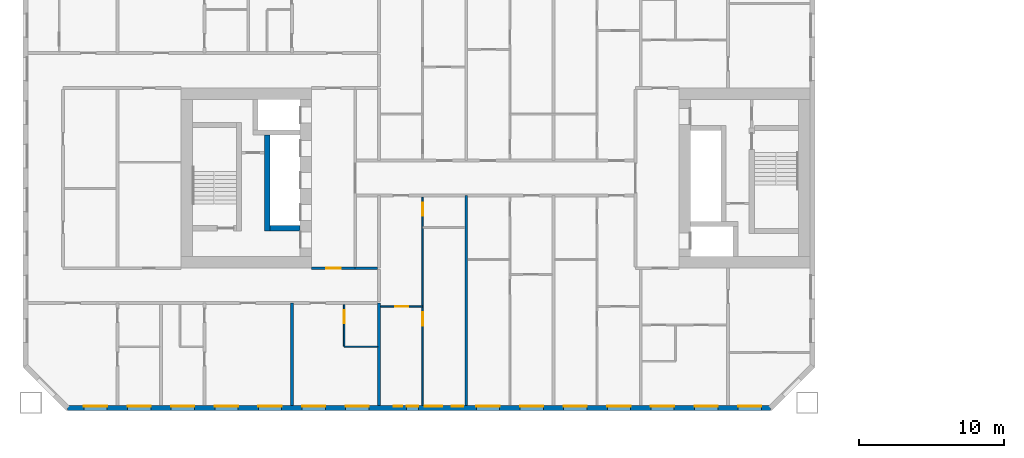
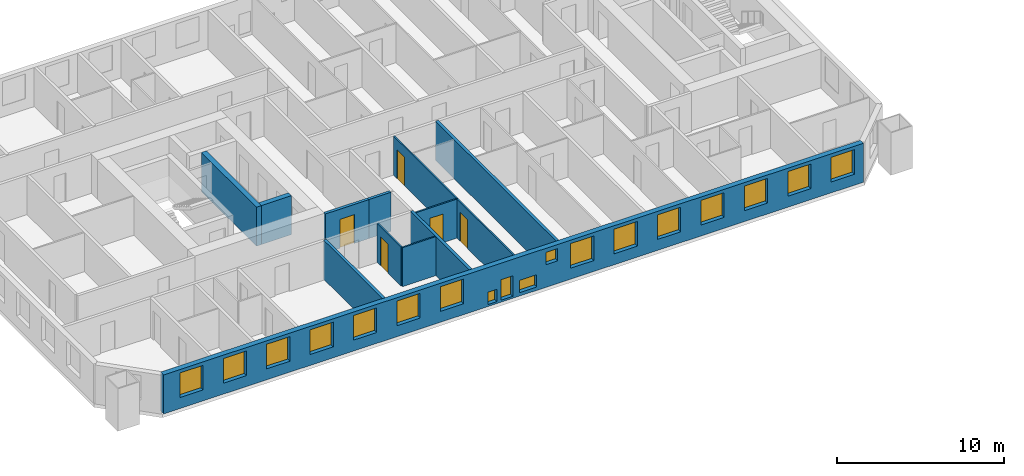
# One storey, part 3 of 16: 18 windows, 12 walls, 5 doors, 23 openings.
"""IFC4 building model written with IfcOpenShell, lengths in metres."""

import ifcopenshell
import ifcopenshell.guid

model = None  # the IFC model being written
_history = None  # IfcOwnerHistory: only IFC2X3 demands one
_inside = {}  # id of a spatial element -> (the spatial element, [elements in it])
_under = {}  # id of a project, library or spatial element -> (it, [spatial elements below it])
_declared = {}  # id of a project -> (the project, [libraries it declares])
_typed = {}  # id of a type object -> (the type object, [elements of that type])
_made_of = {}  # id of a material, layer set ... -> (it, [elements and type objects made of it])


def new_model(schema):
    """Start an empty IFC model of exactly this schema.

    Asked for "IFC4X3", IfcOpenShell would pick the latest addendum, in which some entities
    have other attributes; the version numbers below select the first issue.
    IFC2X3 requires an IfcOwnerHistory on every rooted entity: one is made here for all.
    """
    global model, _history
    if schema == "IFC4X3":
        model = ifcopenshell.file(schema_version=(4, 3, 0, 0))
    else:
        model = ifcopenshell.file(schema=schema)
    _inside.clear()
    _under.clear()
    _declared.clear()
    _typed.clear()
    _made_of.clear()
    _history = None
    if model.schema == "IFC2X3":
        org = make("IfcOrganization", Name="unknown")
        user = make(
            "IfcPersonAndOrganization",
            ThePerson=make("IfcPerson", FamilyName="unknown"),
            TheOrganization=org,
        )
        app = make(
            "IfcApplication",
            ApplicationDeveloper=org,
            Version="unknown",
            ApplicationFullName="unknown",
            ApplicationIdentifier="unknown",
        )
        _history = make(
            "IfcOwnerHistory",
            OwningUser=user,
            OwningApplication=app,
            ChangeAction="ADDED",
            CreationDate=0,
        )
    return model


def make(cls, **values):
    """One entity of the class cls with the attributes given. An attribute that is None is left unset."""
    return model.create_entity(
        cls, **{name: value for name, value in values.items() if value is not None}
    )


def rooted(cls, **values):
    """An entity with a GlobalId (a new one), such as an element, a storey or a relation."""
    return make(cls, GlobalId=ifcopenshell.guid.new(), OwnerHistory=_history, **values)


def si_unit(unit_type, name, prefix=None):
    """IfcSIUnit, for example si_unit("LENGTHUNIT", "METRE", prefix="MILLI")."""
    return make("IfcSIUnit", UnitType=unit_type, Prefix=prefix, Name=name)


def assignment(units):
    """IfcUnitAssignment: the units of a project."""
    return None if units is None else make("IfcUnitAssignment", Units=units)


def point(xyz):
    """IfcCartesianPoint."""
    return None if xyz is None else make("IfcCartesianPoint", Coordinates=xyz)


def direction(xyz):
    """IfcDirection."""
    return None if xyz is None else make("IfcDirection", DirectionRatios=xyz)


def frame(location, z_axis=None, x_axis=None):
    """IfcAxis2Placement3D, a coordinate frame: its origin and axes. An axis left out is left unset."""
    return make(
        "IfcAxis2Placement3D",
        Location=point(location),
        Axis=direction(z_axis),
        RefDirection=direction(x_axis),
    )


def frame_2d(location, x_axis=None):
    """IfcAxis2Placement2D, a coordinate frame in the plane: its origin and x axis."""
    return make(
        "IfcAxis2Placement2D", Location=point(location), RefDirection=direction(x_axis)
    )


def origin():
    """The frame at (0, 0, 0) with its axes left unset."""
    return frame((0.0, 0.0, 0.0))


def place(relative_to, where):
    """IfcLocalPlacement: puts the frame where relative to a parent placement (None: the world)."""
    return make(
        "IfcLocalPlacement", PlacementRelTo=relative_to, RelativePlacement=where
    )


def context(
    kind, dimensions, precision=None, world=None, true_north=None, identifier=None
):
    """IfcGeometricRepresentationContext, for example the 3D "Model" context."""
    return make(
        "IfcGeometricRepresentationContext",
        ContextIdentifier=identifier,
        ContextType=kind,
        CoordinateSpaceDimension=dimensions,
        Precision=precision,
        WorldCoordinateSystem=world,
        TrueNorth=true_north,
    )


def subcontext(parent, identifier, kind, view, scale=None):
    """IfcGeometricRepresentationSubContext, for example "Body" below "Model"."""
    return make(
        "IfcGeometricRepresentationSubContext",
        ContextIdentifier=identifier,
        ContextType=kind,
        ParentContext=parent,
        TargetScale=scale,
        TargetView=view,
    )


def project(units=None, contexts=None):
    """IfcProject with its units and contexts."""
    return rooted(
        "IfcProject",
        Name="project",
        RepresentationContexts=contexts,
        UnitsInContext=assignment(units),
    )


def spatial(cls, under=None, at=None, **own):
    """A site, building, storey or space (cls), placed at a placement, below another one or the project."""
    s = rooted(cls, ObjectPlacement=at, **own)
    if under is not None:
        _under.setdefault(under.id(), (under, []))[1].append(s)
    return s


def profile(cls, at=None, kind="AREA", **sizes):
    """A parametric profile (cls). Its sizes go by their IFC names, for example OverallWidth=200.0."""
    return make(cls, ProfileType=kind, Position=at, **sizes)


def rectangle(**sizes):
    """IfcRectangleProfileDef."""
    return profile("IfcRectangleProfileDef", **sizes)


def extrude(swept, where, along, depth):
    """IfcExtrudedAreaSolid: the profile swept, set in the frame where, extruded along a direction by depth."""
    return make(
        "IfcExtrudedAreaSolid",
        SweptArea=swept,
        Position=where,
        ExtrudedDirection=direction(along),
        Depth=depth,
    )


def shape(context_of_items, identifier, shape_type, items):
    """IfcShapeRepresentation: the items that make up one representation, for example the "Body"."""
    return make(
        "IfcShapeRepresentation",
        ContextOfItems=context_of_items,
        RepresentationIdentifier=identifier,
        RepresentationType=shape_type,
        Items=items,
    )


def material(Name=None, Category=None):
    """IfcMaterial."""
    return make("IfcMaterial", Name=Name, Category=Category)


def layer(
    of_material, thickness, ventilated=None, Name=None, Category=None, Priority=None
):
    """IfcMaterialLayer: one layer of a wall or slab, of a material (None: an air gap)."""
    return make(
        "IfcMaterialLayer",
        Material=of_material,
        LayerThickness=thickness,
        IsVentilated=ventilated,
        Name=Name,
        Category=Category,
        Priority=Priority,
    )


def layer_set(layers, Name=None):
    """IfcMaterialLayerSet."""
    return make("IfcMaterialLayerSet", MaterialLayers=layers, LayerSetName=Name)


def made_of(thing, what):
    """Note that an element or type object is made of a material, layer set ...; save() writes the relation."""
    if what is not None:
        _made_of.setdefault(what.id(), (what, []))[1].append(thing)
    return thing


def type_object(cls, material=None, **own):
    """A type object (cls), such as IfcWallType, which elements share."""
    return made_of(rooted(cls, **own), material)


def element(
    cls,
    number,
    at=None,
    inside=None,
    cuts=None,
    type_object=None,
    material=None,
    context=None,
    identifier="Body",
    shape_type=None,
    held_by="IfcProductDefinitionShape",
    body=None,
    shapes=None,
    **own,
):
    """One element of the class cls, such as IfcWall. Its Tag is "e" and its number.

    at: its placement. inside: the storey or other place that contains it. cuts: it is an
    opening in that element (IfcRelVoidsElement). A single representation is given by context,
    identifier, shape_type and body (its items); several are given by shapes. held_by: the class
    of the entity that holds the representations. save() writes the other relations.
    """
    e = rooted(cls, Tag="e%d" % number, ObjectPlacement=at, **own)
    if body is not None:
        shapes = [shape(context, identifier, shape_type, body)]
    if shapes is not None:
        e.Representation = make(held_by, Representations=shapes)
    if inside is not None:
        _inside.setdefault(inside.id(), (inside, []))[1].append(e)
    if cuts is not None:
        rooted(
            "IfcRelVoidsElement", RelatingBuildingElement=cuts, RelatedOpeningElement=e
        )
    if type_object is not None:
        _typed.setdefault(type_object.id(), (type_object, []))[1].append(e)
    return made_of(e, material)


def fill(opening, filler):
    """IfcRelFillsElement: the door or window that sits in an opening."""
    return rooted(
        "IfcRelFillsElement",
        RelatingOpeningElement=opening,
        RelatedBuildingElement=filler,
    )


def aggregate(whole, parts):
    """IfcRelAggregates: a whole, such as a stair, and the parts it consists of."""
    return rooted("IfcRelAggregates", RelatingObject=whole, RelatedObjects=parts)


def save(model, path):
    """Write the relations noted so far, then the file.

    IfcRelAggregates (storeys below a building ...), IfcRelContainedInSpatialStructure (elements
    in a storey), IfcRelDefinesByType, IfcRelAssociatesMaterial and IfcRelDeclares: one each for
    every whole, place, type object, material and project.
    """
    for whole, parts in _under.values():
        aggregate(whole, parts)
    for where, things in _inside.values():
        rooted(
            "IfcRelContainedInSpatialStructure",
            RelatedElements=things,
            RelatingStructure=where,
        )
    for kind, things in _typed.values():
        rooted("IfcRelDefinesByType", RelatedObjects=things, RelatingType=kind)
    for what, things in _made_of.values():
        rooted("IfcRelAssociatesMaterial", RelatedObjects=things, RelatingMaterial=what)
    for by, libraries in _declared.values():
        rooted("IfcRelDeclares", RelatingContext=by, RelatedDefinitions=libraries)
    model.write(path)


model = new_model("IFC4")

# Units and contexts
model_context = context("Model", 3, precision=1e-05, world=origin(), true_north=direction((0.0, 1.0)))
body_context = subcontext(model_context, "Body", "Model", "MODEL_VIEW")
ifc_project = project(units=[si_unit("LENGTHUNIT", "METRE"), si_unit("AREAUNIT", "SQUARE_METRE"), si_unit("VOLUMEUNIT", "CUBIC_METRE"), si_unit("PLANEANGLEUNIT", "RADIAN"), si_unit("MASSUNIT", "GRAM", prefix="KILO")], contexts=[model_context])

# Site, building, storey
site_placement = place(None, origin())
site = spatial("IfcSite", under=ifc_project, at=site_placement, CompositionType="ELEMENT")
building_placement = place(site_placement, origin())
building = spatial("IfcBuilding", under=site, at=building_placement, Name="Tuart Gate Housing", CompositionType="ELEMENT")
storey_placement = place(building_placement, frame((0.0, 0.0, 59.800048828125)))
storey = spatial("IfcBuildingStorey", under=building, at=storey_placement, Name="L16", CompositionType="ELEMENT", Elevation=59.800048828125)

# Wall, openings, windows
ifc_material_1 = material(Name="Brick", Category="masonry")
ifc_layer_1 = layer(ifc_material_1, 0.360107421875)
ifc_layer_set_1 = layer_set([ifc_layer_1], Name="Brick pier and spandrel wall 360")
wall_type_1 = type_object("IfcWallType", Name="Brick pier and spandrel wall 360", PredefinedType="STANDARD", material=ifc_layer_set_1)
wall_1_placement = place(storey_placement, frame((24.57470703125, 54.179931640625, 0.0), z_axis=(0.0, 0.0, 1.0), x_axis=(1.0, 0.0, 0.0)))
wall_1 = element("IfcWall", 1, at=wall_1_placement, inside=storey, type_object=wall_type_1, Name="External wall A-S L16", PredefinedType="STANDARD", context=body_context, shape_type="SweptSolid", body=[
    extrude(rectangle(XDim=48.350830078125, YDim=0.360107421875, at=frame_2d((24.17529296875, 0.0))), origin(), (0.0, 0.0, 1.0), 2.849853515625),
])
opening_1_placement = place(wall_1_placement, frame((1.12548828125, 0.0, 0.800048828125)))
opening_1 = element("IfcOpeningElement", 2, at=opening_1_placement, cuts=wall_1, Name="Opening W1", PredefinedType="OPENING", context=body_context, shape_type="SweptSolid", body=[
    extrude(rectangle(XDim=1.60009765625, YDim=1.800048828125, at=frame_2d((0.800048828125, 0.89990234375))), frame((0.0, 0.18994140625, 0.0), z_axis=(0.0, -1.0, 0.0), x_axis=(1.0, 0.0, 0.0)), (0.0, 0.0, 1.0), 0.380126953125),
])
opening_2_placement = place(wall_1_placement, frame((4.12548828125, 0.0, 0.800048828125)))
opening_2 = element("IfcOpeningElement", 3, at=opening_2_placement, cuts=wall_1, Name="Opening W1", PredefinedType="OPENING", context=body_context, shape_type="SweptSolid", body=[
    extrude(rectangle(XDim=1.60009765625, YDim=1.800048828125, at=frame_2d((0.800048828125, 0.89990234375))), frame((0.0, 0.18994140625, 0.0), z_axis=(0.0, -1.0, 0.0), x_axis=(1.0, 0.0, 0.0)), (0.0, 0.0, 1.0), 0.380126953125),
])
opening_3_placement = place(wall_1_placement, frame((7.12548828125, 0.0, 0.800048828125)))
opening_3 = element("IfcOpeningElement", 4, at=opening_3_placement, cuts=wall_1, Name="Opening W1", PredefinedType="OPENING", context=body_context, shape_type="SweptSolid", body=[
    extrude(rectangle(XDim=1.60009765625, YDim=1.800048828125, at=frame_2d((0.800048828125, 0.89990234375))), frame((0.0, 0.18994140625, 0.0), z_axis=(0.0, -1.0, 0.0), x_axis=(1.0, 0.0, 0.0)), (0.0, 0.0, 1.0), 0.380126953125),
])
opening_4_placement = place(wall_1_placement, frame((10.12548828125, 0.0, 0.800048828125)))
opening_4 = element("IfcOpeningElement", 5, at=opening_4_placement, cuts=wall_1, Name="Opening W1", PredefinedType="OPENING", context=body_context, shape_type="SweptSolid", body=[
    extrude(rectangle(XDim=1.60009765625, YDim=1.800048828125, at=frame_2d((0.800048828125, 0.89990234375))), frame((0.0, 0.18994140625, 0.0), z_axis=(0.0, -1.0, 0.0), x_axis=(1.0, 0.0, 0.0)), (0.0, 0.0, 1.0), 0.380126953125),
])
opening_5_placement = place(wall_1_placement, frame((13.12548828125, 0.0, 0.800048828125)))
opening_5 = element("IfcOpeningElement", 6, at=opening_5_placement, cuts=wall_1, Name="Opening W1", PredefinedType="OPENING", context=body_context, shape_type="SweptSolid", body=[
    extrude(rectangle(XDim=1.60009765625, YDim=1.800048828125, at=frame_2d((0.800048828125, 0.89990234375))), frame((0.0, 0.18994140625, 0.0), z_axis=(0.0, -1.0, 0.0), x_axis=(1.0, 0.0, 0.0)), (0.0, 0.0, 1.0), 0.380126953125),
])
opening_6_placement = place(wall_1_placement, frame((16.12548828125, 0.0, 0.800048828125)))
opening_6 = element("IfcOpeningElement", 7, at=opening_6_placement, cuts=wall_1, Name="Opening W1", PredefinedType="OPENING", context=body_context, shape_type="SweptSolid", body=[
    extrude(rectangle(XDim=1.60009765625, YDim=1.800048828125, at=frame_2d((0.800048828125, 0.89990234375))), frame((0.0, 0.18994140625, 0.0), z_axis=(0.0, -1.0, 0.0), x_axis=(1.0, 0.0, 0.0)), (0.0, 0.0, 1.0), 0.380126953125),
])
opening_7_placement = place(wall_1_placement, frame((19.12548828125, 0.0, 0.800048828125)))
opening_7 = element("IfcOpeningElement", 8, at=opening_7_placement, cuts=wall_1, Name="Opening W1", PredefinedType="OPENING", context=body_context, shape_type="SweptSolid", body=[
    extrude(rectangle(XDim=1.60009765625, YDim=1.800048828125, at=frame_2d((0.800048828125, 0.89990234375))), frame((0.0, 0.18994140625, 0.0), z_axis=(0.0, -1.0, 0.0), x_axis=(1.0, 0.0, 0.0)), (0.0, 0.0, 1.0), 0.380126953125),
])
opening_8_placement = place(wall_1_placement, frame((22.42529296875, 0.0, 0.14990234375)))
opening_8 = element("IfcOpeningElement", 9, at=opening_8_placement, cuts=wall_1, Name="Opening W1W", PredefinedType="OPENING", context=body_context, shape_type="SweptSolid", body=[
    extrude(rectangle(XDim=0.60009765625, YDim=0.89990234375, at=frame_2d((0.300048828125, 0.449951171875))), frame((0.0, 0.18994140625, 0.0), z_axis=(0.0, -1.0, 0.0), x_axis=(1.0, 0.0, 0.0)), (0.0, 0.0, 1.0), 0.380126953125),
])
opening_9_placement = place(wall_1_placement, frame((24.575439453125, 0.0, 0.25)))
opening_9 = element("IfcOpeningElement", 10, at=opening_9_placement, cuts=wall_1, Name="Opening W1T", PredefinedType="OPENING", context=body_context, shape_type="SweptSolid", body=[
    extrude(rectangle(XDim=1.199951171875, YDim=0.89990234375, at=frame_2d((0.60009765625, 0.449951171875))), frame((0.0, 0.18994140625, 0.0), z_axis=(0.0, -1.0, 0.0), x_axis=(1.0, 0.0, 0.0)), (0.0, 0.0, 1.0), 0.380126953125),
])
opening_10_placement = place(wall_1_placement, frame((28.12548828125, 0.0, 0.800048828125)))
opening_10 = element("IfcOpeningElement", 11, at=opening_10_placement, cuts=wall_1, Name="Opening W1", PredefinedType="OPENING", context=body_context, shape_type="SweptSolid", body=[
    extrude(rectangle(XDim=1.60009765625, YDim=1.800048828125, at=frame_2d((0.800048828125, 0.89990234375))), frame((0.0, 0.18994140625, 0.0), z_axis=(0.0, -1.0, 0.0), x_axis=(1.0, 0.0, 0.0)), (0.0, 0.0, 1.0), 0.380126953125),
])
opening_11_placement = place(wall_1_placement, frame((31.12548828125, 0.0, 0.800048828125)))
opening_11 = element("IfcOpeningElement", 12, at=opening_11_placement, cuts=wall_1, Name="Opening W1", PredefinedType="OPENING", context=body_context, shape_type="SweptSolid", body=[
    extrude(rectangle(XDim=1.60009765625, YDim=1.800048828125, at=frame_2d((0.800048828125, 0.89990234375))), frame((0.0, 0.18994140625, 0.0), z_axis=(0.0, -1.0, 0.0), x_axis=(1.0, 0.0, 0.0)), (0.0, 0.0, 1.0), 0.380126953125),
])
opening_12_placement = place(wall_1_placement, frame((34.12548828125, 0.0, 0.800048828125)))
opening_12 = element("IfcOpeningElement", 13, at=opening_12_placement, cuts=wall_1, Name="Opening W1", PredefinedType="OPENING", context=body_context, shape_type="SweptSolid", body=[
    extrude(rectangle(XDim=1.60009765625, YDim=1.800048828125, at=frame_2d((0.800048828125, 0.89990234375))), frame((0.0, 0.18994140625, 0.0), z_axis=(0.0, -1.0, 0.0), x_axis=(1.0, 0.0, 0.0)), (0.0, 0.0, 1.0), 0.380126953125),
])
opening_13_placement = place(wall_1_placement, frame((37.12548828125, 0.0, 0.800048828125)))
opening_13 = element("IfcOpeningElement", 14, at=opening_13_placement, cuts=wall_1, Name="Opening W1", PredefinedType="OPENING", context=body_context, shape_type="SweptSolid", body=[
    extrude(rectangle(XDim=1.60009765625, YDim=1.800048828125, at=frame_2d((0.800048828125, 0.89990234375))), frame((0.0, 0.18994140625, 0.0), z_axis=(0.0, -1.0, 0.0), x_axis=(1.0, 0.0, 0.0)), (0.0, 0.0, 1.0), 0.380126953125),
])
opening_14_placement = place(wall_1_placement, frame((40.12548828125, 0.0, 0.800048828125)))
opening_14 = element("IfcOpeningElement", 15, at=opening_14_placement, cuts=wall_1, Name="Opening W1", PredefinedType="OPENING", context=body_context, shape_type="SweptSolid", body=[
    extrude(rectangle(XDim=1.60009765625, YDim=1.800048828125, at=frame_2d((0.800048828125, 0.89990234375))), frame((0.0, 0.18994140625, 0.0), z_axis=(0.0, -1.0, 0.0), x_axis=(1.0, 0.0, 0.0)), (0.0, 0.0, 1.0), 0.380126953125),
])
opening_15_placement = place(wall_1_placement, frame((43.12548828125, 0.0, 0.800048828125)))
opening_15 = element("IfcOpeningElement", 16, at=opening_15_placement, cuts=wall_1, Name="Opening W1", PredefinedType="OPENING", context=body_context, shape_type="SweptSolid", body=[
    extrude(rectangle(XDim=1.60009765625, YDim=1.800048828125, at=frame_2d((0.800048828125, 0.89990234375))), frame((0.0, 0.18994140625, 0.0), z_axis=(0.0, -1.0, 0.0), x_axis=(1.0, 0.0, 0.0)), (0.0, 0.0, 1.0), 0.380126953125),
])
opening_16_placement = place(wall_1_placement, frame((46.12548828125, 0.0, 0.800048828125)))
opening_16 = element("IfcOpeningElement", 17, at=opening_16_placement, cuts=wall_1, Name="Opening W1", PredefinedType="OPENING", context=body_context, shape_type="SweptSolid", body=[
    extrude(rectangle(XDim=1.60009765625, YDim=1.800048828125, at=frame_2d((0.800048828125, 0.89990234375))), frame((0.0, 0.18994140625, 0.0), z_axis=(0.0, -1.0, 0.0), x_axis=(1.0, 0.0, 0.0)), (0.0, 0.0, 1.0), 0.380126953125),
])
opening_17_placement = place(wall_1_placement, frame((23.325439453125, 0.0, 0.14990234375)))
opening_17 = element("IfcOpeningElement", 18, at=opening_17_placement, cuts=wall_1, Name="Opening W1J", PredefinedType="OPENING", context=body_context, shape_type="SweptSolid", body=[
    extrude(rectangle(XDim=0.800048828125, YDim=1.5, at=frame_2d((0.39990234375, 0.75))), frame((0.0, 0.18994140625, 0.0), z_axis=(0.0, -1.0, 0.0), x_axis=(1.0, 0.0, 0.0)), (0.0, 0.0, 1.0), 0.380126953125),
])
opening_18_placement = place(wall_1_placement, frame((26.42529296875, 0.0, 1.64990234375)))
opening_18 = element("IfcOpeningElement", 19, at=opening_18_placement, cuts=wall_1, Name="Opening W1V", PredefinedType="OPENING", context=body_context, shape_type="SweptSolid", body=[
    extrude(rectangle(XDim=0.800048828125, YDim=0.89990234375, at=frame_2d((0.39990234375, 0.449951171875))), frame((0.0, 0.18994140625, 0.0), z_axis=(0.0, -1.0, 0.0), x_axis=(1.0, 0.0, 0.0)), (0.0, 0.0, 1.0), 0.380126953125),
])
ifc_material_2 = material(Name="Aluminium frame with clear glass", Category="aluminium")
window_type_1 = type_object("IfcWindowType", Name="Punched window 1200 x 900", PartitioningType="SINGLE_PANEL", PredefinedType="WINDOW", material=ifc_material_2)
window_1_placement = place(opening_9_placement, origin())
window_1 = element("IfcWindow", 20, at=window_1_placement, inside=storey, type_object=window_type_1, Name="Window W1T", OverallHeight=0.89990234375, OverallWidth=1.199951171875, PartitioningType="SINGLE_PANEL", PredefinedType="WINDOW", context=body_context, shape_type="SweptSolid", body=[
    extrude(rectangle(XDim=1.199951171875, YDim=0.89990234375, at=frame_2d((0.60009765625, 0.449951171875))), frame((0.0, 0.150146484375, 0.0), z_axis=(0.0, -1.0, 0.0), x_axis=(1.0, 0.0, 0.0)), (0.0, 0.0, 1.0), 0.06005859375),
])
fill(opening_9, window_1)
ifc_material_3 = material(Name="Aluminium frame with clear glass", Category="aluminium")
window_type_2 = type_object("IfcWindowType", Name="Punched window 1600 x 1800", PartitioningType="SINGLE_PANEL", PredefinedType="WINDOW", material=ifc_material_3)
window_2_placement = place(opening_1_placement, origin())
window_2 = element("IfcWindow", 21, at=window_2_placement, inside=storey, type_object=window_type_2, Name="Window W1", OverallHeight=1.800048828125, OverallWidth=1.60009765625, PartitioningType="SINGLE_PANEL", PredefinedType="WINDOW", context=body_context, shape_type="SweptSolid", body=[
    extrude(rectangle(XDim=1.60009765625, YDim=1.800048828125, at=frame_2d((0.800048828125, 0.89990234375))), frame((0.0, 0.150146484375, 0.0), z_axis=(0.0, -1.0, 0.0), x_axis=(1.0, 0.0, 0.0)), (0.0, 0.0, 1.0), 0.06005859375),
])
fill(opening_1, window_2)
window_3_placement = place(opening_2_placement, origin())
window_3 = element("IfcWindow", 22, at=window_3_placement, inside=storey, type_object=window_type_2, Name="Window W1", OverallHeight=1.800048828125, OverallWidth=1.60009765625, PartitioningType="SINGLE_PANEL", PredefinedType="WINDOW", context=body_context, shape_type="SweptSolid", body=[
    extrude(rectangle(XDim=1.60009765625, YDim=1.800048828125, at=frame_2d((0.800048828125, 0.89990234375))), frame((0.0, 0.150146484375, 0.0), z_axis=(0.0, -1.0, 0.0), x_axis=(1.0, 0.0, 0.0)), (0.0, 0.0, 1.0), 0.06005859375),
])
fill(opening_2, window_3)
window_4_placement = place(opening_3_placement, origin())
window_4 = element("IfcWindow", 23, at=window_4_placement, inside=storey, type_object=window_type_2, Name="Window W1", OverallHeight=1.800048828125, OverallWidth=1.60009765625, PartitioningType="SINGLE_PANEL", PredefinedType="WINDOW", context=body_context, shape_type="SweptSolid", body=[
    extrude(rectangle(XDim=1.60009765625, YDim=1.800048828125, at=frame_2d((0.800048828125, 0.89990234375))), frame((0.0, 0.150146484375, 0.0), z_axis=(0.0, -1.0, 0.0), x_axis=(1.0, 0.0, 0.0)), (0.0, 0.0, 1.0), 0.06005859375),
])
fill(opening_3, window_4)
window_5_placement = place(opening_4_placement, origin())
window_5 = element("IfcWindow", 24, at=window_5_placement, inside=storey, type_object=window_type_2, Name="Window W1", OverallHeight=1.800048828125, OverallWidth=1.60009765625, PartitioningType="SINGLE_PANEL", PredefinedType="WINDOW", context=body_context, shape_type="SweptSolid", body=[
    extrude(rectangle(XDim=1.60009765625, YDim=1.800048828125, at=frame_2d((0.800048828125, 0.89990234375))), frame((0.0, 0.150146484375, 0.0), z_axis=(0.0, -1.0, 0.0), x_axis=(1.0, 0.0, 0.0)), (0.0, 0.0, 1.0), 0.06005859375),
])
fill(opening_4, window_5)
window_6_placement = place(opening_5_placement, origin())
window_6 = element("IfcWindow", 25, at=window_6_placement, inside=storey, type_object=window_type_2, Name="Window W1", OverallHeight=1.800048828125, OverallWidth=1.60009765625, PartitioningType="SINGLE_PANEL", PredefinedType="WINDOW", context=body_context, shape_type="SweptSolid", body=[
    extrude(rectangle(XDim=1.60009765625, YDim=1.800048828125, at=frame_2d((0.800048828125, 0.89990234375))), frame((0.0, 0.150146484375, 0.0), z_axis=(0.0, -1.0, 0.0), x_axis=(1.0, 0.0, 0.0)), (0.0, 0.0, 1.0), 0.06005859375),
])
fill(opening_5, window_6)
window_7_placement = place(opening_6_placement, origin())
window_7 = element("IfcWindow", 26, at=window_7_placement, inside=storey, type_object=window_type_2, Name="Window W1", OverallHeight=1.800048828125, OverallWidth=1.60009765625, PartitioningType="SINGLE_PANEL", PredefinedType="WINDOW", context=body_context, shape_type="SweptSolid", body=[
    extrude(rectangle(XDim=1.60009765625, YDim=1.800048828125, at=frame_2d((0.800048828125, 0.89990234375))), frame((0.0, 0.150146484375, 0.0), z_axis=(0.0, -1.0, 0.0), x_axis=(1.0, 0.0, 0.0)), (0.0, 0.0, 1.0), 0.06005859375),
])
fill(opening_6, window_7)
window_8_placement = place(opening_7_placement, origin())
window_8 = element("IfcWindow", 27, at=window_8_placement, inside=storey, type_object=window_type_2, Name="Window W1", OverallHeight=1.800048828125, OverallWidth=1.60009765625, PartitioningType="SINGLE_PANEL", PredefinedType="WINDOW", context=body_context, shape_type="SweptSolid", body=[
    extrude(rectangle(XDim=1.60009765625, YDim=1.800048828125, at=frame_2d((0.800048828125, 0.89990234375))), frame((0.0, 0.150146484375, 0.0), z_axis=(0.0, -1.0, 0.0), x_axis=(1.0, 0.0, 0.0)), (0.0, 0.0, 1.0), 0.06005859375),
])
fill(opening_7, window_8)
window_9_placement = place(opening_10_placement, origin())
window_9 = element("IfcWindow", 28, at=window_9_placement, inside=storey, type_object=window_type_2, Name="Window W1", OverallHeight=1.800048828125, OverallWidth=1.60009765625, PartitioningType="SINGLE_PANEL", PredefinedType="WINDOW", context=body_context, shape_type="SweptSolid", body=[
    extrude(rectangle(XDim=1.60009765625, YDim=1.800048828125, at=frame_2d((0.800048828125, 0.89990234375))), frame((0.0, 0.150146484375, 0.0), z_axis=(0.0, -1.0, 0.0), x_axis=(1.0, 0.0, 0.0)), (0.0, 0.0, 1.0), 0.06005859375),
])
fill(opening_10, window_9)
window_10_placement = place(opening_11_placement, origin())
window_10 = element("IfcWindow", 29, at=window_10_placement, inside=storey, type_object=window_type_2, Name="Window W1", OverallHeight=1.800048828125, OverallWidth=1.60009765625, PartitioningType="SINGLE_PANEL", PredefinedType="WINDOW", context=body_context, shape_type="SweptSolid", body=[
    extrude(rectangle(XDim=1.60009765625, YDim=1.800048828125, at=frame_2d((0.800048828125, 0.89990234375))), frame((0.0, 0.150146484375, 0.0), z_axis=(0.0, -1.0, 0.0), x_axis=(1.0, 0.0, 0.0)), (0.0, 0.0, 1.0), 0.06005859375),
])
fill(opening_11, window_10)
window_11_placement = place(opening_12_placement, origin())
window_11 = element("IfcWindow", 30, at=window_11_placement, inside=storey, type_object=window_type_2, Name="Window W1", OverallHeight=1.800048828125, OverallWidth=1.60009765625, PartitioningType="SINGLE_PANEL", PredefinedType="WINDOW", context=body_context, shape_type="SweptSolid", body=[
    extrude(rectangle(XDim=1.60009765625, YDim=1.800048828125, at=frame_2d((0.800048828125, 0.89990234375))), frame((0.0, 0.150146484375, 0.0), z_axis=(0.0, -1.0, 0.0), x_axis=(1.0, 0.0, 0.0)), (0.0, 0.0, 1.0), 0.06005859375),
])
fill(opening_12, window_11)
window_12_placement = place(opening_13_placement, origin())
window_12 = element("IfcWindow", 31, at=window_12_placement, inside=storey, type_object=window_type_2, Name="Window W1", OverallHeight=1.800048828125, OverallWidth=1.60009765625, PartitioningType="SINGLE_PANEL", PredefinedType="WINDOW", context=body_context, shape_type="SweptSolid", body=[
    extrude(rectangle(XDim=1.60009765625, YDim=1.800048828125, at=frame_2d((0.800048828125, 0.89990234375))), frame((0.0, 0.150146484375, 0.0), z_axis=(0.0, -1.0, 0.0), x_axis=(1.0, 0.0, 0.0)), (0.0, 0.0, 1.0), 0.06005859375),
])
fill(opening_13, window_12)
window_13_placement = place(opening_14_placement, origin())
window_13 = element("IfcWindow", 32, at=window_13_placement, inside=storey, type_object=window_type_2, Name="Window W1", OverallHeight=1.800048828125, OverallWidth=1.60009765625, PartitioningType="SINGLE_PANEL", PredefinedType="WINDOW", context=body_context, shape_type="SweptSolid", body=[
    extrude(rectangle(XDim=1.60009765625, YDim=1.800048828125, at=frame_2d((0.800048828125, 0.89990234375))), frame((0.0, 0.150146484375, 0.0), z_axis=(0.0, -1.0, 0.0), x_axis=(1.0, 0.0, 0.0)), (0.0, 0.0, 1.0), 0.06005859375),
])
fill(opening_14, window_13)
window_14_placement = place(opening_15_placement, origin())
window_14 = element("IfcWindow", 33, at=window_14_placement, inside=storey, type_object=window_type_2, Name="Window W1", OverallHeight=1.800048828125, OverallWidth=1.60009765625, PartitioningType="SINGLE_PANEL", PredefinedType="WINDOW", context=body_context, shape_type="SweptSolid", body=[
    extrude(rectangle(XDim=1.60009765625, YDim=1.800048828125, at=frame_2d((0.800048828125, 0.89990234375))), frame((0.0, 0.150146484375, 0.0), z_axis=(0.0, -1.0, 0.0), x_axis=(1.0, 0.0, 0.0)), (0.0, 0.0, 1.0), 0.06005859375),
])
fill(opening_15, window_14)
window_15_placement = place(opening_16_placement, origin())
window_15 = element("IfcWindow", 34, at=window_15_placement, inside=storey, type_object=window_type_2, Name="Window W1", OverallHeight=1.800048828125, OverallWidth=1.60009765625, PartitioningType="SINGLE_PANEL", PredefinedType="WINDOW", context=body_context, shape_type="SweptSolid", body=[
    extrude(rectangle(XDim=1.60009765625, YDim=1.800048828125, at=frame_2d((0.800048828125, 0.89990234375))), frame((0.0, 0.150146484375, 0.0), z_axis=(0.0, -1.0, 0.0), x_axis=(1.0, 0.0, 0.0)), (0.0, 0.0, 1.0), 0.06005859375),
])
fill(opening_16, window_15)
ifc_material_4 = material(Name="Aluminium frame with clear glass", Category="aluminium")
window_type_3 = type_object("IfcWindowType", Name="Punched window 600 x 900", PartitioningType="SINGLE_PANEL", PredefinedType="WINDOW", material=ifc_material_4)
window_16_placement = place(opening_8_placement, origin())
window_16 = element("IfcWindow", 35, at=window_16_placement, inside=storey, type_object=window_type_3, Name="Window W1W", OverallHeight=0.89990234375, OverallWidth=0.60009765625, PartitioningType="SINGLE_PANEL", PredefinedType="WINDOW", context=body_context, shape_type="SweptSolid", body=[
    extrude(rectangle(XDim=0.60009765625, YDim=0.89990234375, at=frame_2d((0.300048828125, 0.449951171875))), frame((0.0, 0.150146484375, 0.0), z_axis=(0.0, -1.0, 0.0), x_axis=(1.0, 0.0, 0.0)), (0.0, 0.0, 1.0), 0.06005859375),
])
fill(opening_8, window_16)
ifc_material_5 = material(Name="Aluminium frame with clear glass", Category="aluminium")
window_type_4 = type_object("IfcWindowType", Name="Punched window 800 x 1500", PartitioningType="SINGLE_PANEL", PredefinedType="WINDOW", material=ifc_material_5)
window_17_placement = place(opening_17_placement, origin())
window_17 = element("IfcWindow", 36, at=window_17_placement, inside=storey, type_object=window_type_4, Name="Window W1J", OverallHeight=1.5, OverallWidth=0.800048828125, PartitioningType="SINGLE_PANEL", PredefinedType="WINDOW", context=body_context, shape_type="SweptSolid", body=[
    extrude(rectangle(XDim=0.800048828125, YDim=1.5, at=frame_2d((0.39990234375, 0.75))), frame((0.0, 0.150146484375, 0.0), z_axis=(0.0, -1.0, 0.0), x_axis=(1.0, 0.0, 0.0)), (0.0, 0.0, 1.0), 0.06005859375),
])
fill(opening_17, window_17)
ifc_material_6 = material(Name="Aluminium frame with clear glass", Category="aluminium")
window_type_5 = type_object("IfcWindowType", Name="Punched window 800 x 900", PartitioningType="SINGLE_PANEL", PredefinedType="WINDOW", material=ifc_material_6)
window_18_placement = place(opening_18_placement, origin())
window_18 = element("IfcWindow", 37, at=window_18_placement, inside=storey, type_object=window_type_5, Name="Window W1V", OverallHeight=0.89990234375, OverallWidth=0.800048828125, PartitioningType="SINGLE_PANEL", PredefinedType="WINDOW", context=body_context, shape_type="SweptSolid", body=[
    extrude(rectangle(XDim=0.800048828125, YDim=0.89990234375, at=frame_2d((0.39990234375, 0.449951171875))), frame((0.0, 0.150146484375, 0.0), z_axis=(0.0, -1.0, 0.0), x_axis=(1.0, 0.0, 0.0)), (0.0, 0.0, 1.0), 0.06005859375),
])
fill(opening_18, window_18)

# Walls
ifc_material_7 = material(Name="Concrete C60", Category="concrete")
ifc_layer_2 = layer(ifc_material_7, 0.35009765625)
ifc_layer_set_2 = layer_set([ifc_layer_2], Name="Core wall 350 C60")
wall_type_2 = type_object("IfcWallType", Name="Core wall 350 C60", PredefinedType="SHEAR", material=ifc_layer_set_2)
wall_2_placement = place(storey_placement, frame((40.56005859375, 66.550048828125, 0.0), z_axis=(0.0, 0.0, 1.0), x_axis=(-1.0, 0.0, 0.0)))
element("IfcWall", 38, at=wall_2_placement, inside=storey, type_object=wall_type_2, Name="Core wall AK.4", PredefinedType="SHEAR", context=body_context, shape_type="SweptSolid", body=[
    extrude(rectangle(XDim=2.074951171875, YDim=0.35009765625, at=frame_2d((1.03759765625, 0.0))), origin(), (0.0, 0.0, 1.0), 2.849853515625),
])
wall_3_placement = place(storey_placement, frame((38.31005859375, 72.97509765625, 0.0), z_axis=(0.0, 0.0, 1.0), x_axis=(0.0, -1.0, 0.0)))
element("IfcWall", 39, at=wall_3_placement, inside=storey, type_object=wall_type_2, Name="Core wall AK.6", PredefinedType="SHEAR", context=body_context, shape_type="SweptSolid", body=[
    extrude(rectangle(XDim=6.60009765625, YDim=0.35009765625, at=frame_2d((3.300048828125, 0.0))), origin(), (0.0, 0.0, 1.0), 2.849853515625),
])
ifc_material_8 = material(Name="Concrete masonry 15 MPa", Category="masonry")
ifc_layer_3 = layer(ifc_material_8, 0.199951171875)
ifc_layer_set_3 = layer_set([ifc_layer_3], Name="Corridor wall masonry 200")
wall_type_3 = type_object("IfcWallType", Name="Corridor wall masonry 200", PredefinedType="PARTITIONING", material=ifc_layer_set_3)
wall_4_placement = place(storey_placement, frame((44.360107421875, 63.800048828125, 0.0), z_axis=(0.0, 0.0, 1.0), x_axis=(1.0, 0.0, 0.0)))
element("IfcWall", 40, at=wall_4_placement, inside=storey, type_object=wall_type_3, Name="Corridor wall masonry 200", PredefinedType="PARTITIONING", context=body_context, shape_type="SweptSolid", body=[
    extrude(rectangle(XDim=1.539794921875, YDim=0.199951171875, at=frame_2d((0.77001953125, 0.0))), origin(), (0.0, 0.0, 1.0), 2.849853515625),
])

# Wall, opening, door
ifc_material_9 = material(Name="Concrete masonry 15 MPa", Category="masonry")
ifc_layer_4 = layer(ifc_material_9, 0.199951171875)
ifc_layer_set_4 = layer_set([ifc_layer_4], Name="Enclosure wall masonry 200")
wall_type_4 = type_object("IfcWallType", Name="Enclosure wall masonry 200", PredefinedType="PARTITIONING", material=ifc_layer_set_4)
wall_5_placement = place(storey_placement, frame((41.360107421875, 63.800048828125, 0.0), z_axis=(0.0, 0.0, 1.0), x_axis=(1.0, 0.0, 0.0)))
wall_5 = element("IfcWall", 41, at=wall_5_placement, inside=storey, type_object=wall_type_4, Name="Enclosure wall masonry 200", PredefinedType="PARTITIONING", context=body_context, shape_type="SweptSolid", body=[
    extrude(rectangle(XDim=3.0, YDim=0.199951171875, at=frame_2d((1.5, 0.0))), origin(), (0.0, 0.0, 1.0), 2.849853515625),
])
opening_19_placement = place(wall_5_placement, frame((1.0, 0.0, 0.0)))
opening_19 = element("IfcOpeningElement", 42, at=opening_19_placement, cuts=wall_5, Name="Opening D755", PredefinedType="OPENING", context=body_context, shape_type="SweptSolid", body=[
    extrude(rectangle(XDim=1.0, YDim=2.10009765625, at=frame_2d((0.5, 1.050048828125))), frame((0.0, 0.10986328125, 0.0), z_axis=(0.0, -1.0, 0.0), x_axis=(1.0, 0.0, 0.0)), (0.0, 0.0, 1.0), 0.219970703125),
])
ifc_material_10 = material(Name="Timber door leaf in steel frame", Category="steel")
door_type_1 = type_object("IfcDoorType", Name="Fire door 1000", OperationType="SINGLE_SWING_LEFT", PredefinedType="DOOR", material=ifc_material_10)
door_1_placement = place(opening_19_placement, frame((1.0, 0.0, 0.0), z_axis=(0.0, 0.0, 1.0), x_axis=(-1.0, 0.0, 0.0)))
door_1 = element("IfcDoor", 43, at=door_1_placement, inside=storey, type_object=door_type_1, Name="Fire door", OperationType="SINGLE_SWING_LEFT", OverallHeight=2.10009765625, OverallWidth=1.0, PredefinedType="DOOR", context=body_context, shape_type="SweptSolid", body=[
    extrude(rectangle(XDim=1.0, YDim=2.10009765625, at=frame_2d((0.5, 1.050048828125))), frame((0.0, 0.025146484375, 0.0), z_axis=(0.0, -1.0, 0.0), x_axis=(1.0, 0.0, 0.0)), (0.0, 0.0, 1.0), 0.050048828125),
])
fill(opening_19, door_1)

# Wall
ifc_material_11 = material(Name="Gypsum board on steel studs", Category="steel")
ifc_layer_5 = layer(ifc_material_11, 0.10009765625)
ifc_layer_set_5 = layer_set([ifc_layer_5], Name="Partition 100")
wall_type_5 = type_object("IfcWallType", Name="Partition 100", PredefinedType="PARTITIONING", material=ifc_layer_set_5)
wall_6_placement = place(storey_placement, frame((43.60009765625, 58.39990234375, 0.0), z_axis=(0.0, 0.0, 1.0), x_axis=(1.0, 0.0, 0.0)))
element("IfcWall", 44, at=wall_6_placement, inside=storey, type_object=wall_type_5, Name="Partition 100", PredefinedType="PARTITIONING", context=body_context, shape_type="SweptSolid", body=[
    extrude(rectangle(XDim=2.2998046875, YDim=0.10009765625, at=frame_2d((1.14990234375, 0.0))), origin(), (0.0, 0.0, 1.0), 2.849853515625),
])

# Wall, opening, door
wall_7_placement = place(storey_placement, frame((46.10009765625, 61.159912109375, 0.0), z_axis=(0.0, 0.0, 1.0), x_axis=(1.0, 0.0, 0.0)))
wall_7 = element("IfcWall", 45, at=wall_7_placement, inside=storey, type_object=wall_type_5, Name="Partition 100", PredefinedType="PARTITIONING", context=body_context, shape_type="SweptSolid", body=[
    extrude(rectangle(XDim=2.89990234375, YDim=0.10009765625, at=frame_2d((1.449951171875, 0.0))), origin(), (0.0, 0.0, 1.0), 2.849853515625),
])
opening_20_placement = place(wall_7_placement, frame((1.0, 0.0, 0.0)))
opening_20 = element("IfcOpeningElement", 46, at=opening_20_placement, cuts=wall_7, Name="Opening D767", PredefinedType="OPENING", context=body_context, shape_type="SweptSolid", body=[
    extrude(rectangle(XDim=0.89990234375, YDim=2.10009765625, at=frame_2d((0.449951171875, 1.050048828125))), frame((0.0, 0.06005859375, 0.0), z_axis=(0.0, -1.0, 0.0), x_axis=(1.0, 0.0, 0.0)), (0.0, 0.0, 1.0), 0.1201171875),
])
ifc_material_12 = material(Name="Timber door leaf in steel frame", Category="steel")
door_type_2 = type_object("IfcDoorType", Name="Internal door 900 RH", OperationType="SINGLE_SWING_RIGHT", PredefinedType="DOOR", material=ifc_material_12)
door_2_placement = place(opening_20_placement, origin())
door_2 = element("IfcDoor", 47, at=door_2_placement, inside=storey, type_object=door_type_2, Name="Internal door", OperationType="SINGLE_SWING_RIGHT", OverallHeight=2.10009765625, OverallWidth=0.89990234375, PredefinedType="DOOR", context=body_context, shape_type="SweptSolid", body=[
    extrude(rectangle(XDim=0.89990234375, YDim=2.10009765625, at=frame_2d((0.449951171875, 1.050048828125))), frame((0.0, 0.02490234375, 0.0), z_axis=(0.0, -1.0, 0.0), x_axis=(1.0, 0.0, 0.0)), (0.0, 0.0, 1.0), 0.050048828125),
])
fill(opening_20, door_2)

wall_8_placement = place(storey_placement, frame((43.60009765625, 58.449951171875, 0.0), z_axis=(0.0, 0.0, 1.0), x_axis=(0.0, 1.0, 0.0)))
wall_8 = element("IfcWall", 48, at=wall_8_placement, inside=storey, type_object=wall_type_5, Name="Partition 100", PredefinedType="PARTITIONING", context=body_context, shape_type="SweptSolid", body=[
    extrude(rectangle(XDim=2.85009765625, YDim=0.10009765625, at=frame_2d((1.425048828125, 0.0))), origin(), (0.0, 0.0, 1.0), 2.849853515625),
])
opening_21_placement = place(wall_8_placement, frame((1.550048828125, 0.0, 0.0)))
opening_21 = element("IfcOpeningElement", 49, at=opening_21_placement, cuts=wall_8, Name="Opening D771", PredefinedType="OPENING", context=body_context, shape_type="SweptSolid", body=[
    extrude(rectangle(XDim=0.89990234375, YDim=2.10009765625, at=frame_2d((0.449951171875, 1.050048828125))), frame((0.0, 0.06005859375, 0.0), z_axis=(0.0, -1.0, 0.0), x_axis=(1.0, 0.0, 0.0)), (0.0, 0.0, 1.0), 0.1201171875),
])
ifc_material_13 = material(Name="Timber door leaf in steel frame", Category="steel")
door_type_3 = type_object("IfcDoorType", Name="Bathroom door 900", OperationType="SINGLE_SWING_LEFT", PredefinedType="DOOR", material=ifc_material_13)
door_3_placement = place(opening_21_placement, frame((0.89990234375, 0.0, 0.0), z_axis=(0.0, 0.0, 1.0), x_axis=(-1.0, 0.0, 0.0)))
door_3 = element("IfcDoor", 50, at=door_3_placement, inside=storey, type_object=door_type_3, Name="Bathroom door", OperationType="SINGLE_SWING_LEFT", OverallHeight=2.10009765625, OverallWidth=0.89990234375, PredefinedType="DOOR", context=body_context, shape_type="SweptSolid", body=[
    extrude(rectangle(XDim=0.89990234375, YDim=2.10009765625, at=frame_2d((0.449951171875, 1.050048828125))), frame((0.0, 0.025146484375, 0.0), z_axis=(0.0, -1.0, 0.0), x_axis=(1.0, 0.0, 0.0)), (0.0, 0.0, 1.0), 0.050048828125),
])
fill(opening_21, door_3)

# Wall, openings, doors
wall_9_placement = place(storey_placement, frame((49.0, 54.360107421875, 0.0), z_axis=(0.0, 0.0, 1.0), x_axis=(0.0, 1.0, 0.0)))
wall_9 = element("IfcWall", 51, at=wall_9_placement, inside=storey, type_object=wall_type_5, Name="Partition 100", PredefinedType="PARTITIONING", context=body_context, shape_type="SweptSolid", body=[
    extrude(rectangle(XDim=14.33984375, YDim=0.10009765625, at=frame_2d((7.169921875, 0.0))), origin(), (0.0, 0.0, 1.0), 2.849853515625),
])
opening_22_placement = place(wall_9_placement, frame((5.5, 0.0, 0.0)))
opening_22 = element("IfcOpeningElement", 52, at=opening_22_placement, cuts=wall_9, Name="Opening D759", PredefinedType="OPENING", context=body_context, shape_type="SweptSolid", body=[
    extrude(rectangle(XDim=0.89990234375, YDim=2.10009765625, at=frame_2d((0.449951171875, 1.050048828125))), frame((0.0, 0.06005859375, 0.0), z_axis=(0.0, -1.0, 0.0), x_axis=(1.0, 0.0, 0.0)), (0.0, 0.0, 1.0), 0.1201171875),
])
opening_23_placement = place(wall_9_placement, frame((13.0400390625, 0.0, 0.0)))
opening_23 = element("IfcOpeningElement", 53, at=opening_23_placement, cuts=wall_9, Name="Opening D758", PredefinedType="OPENING", context=body_context, shape_type="SweptSolid", body=[
    extrude(rectangle(XDim=0.89990234375, YDim=2.10009765625, at=frame_2d((0.449951171875, 1.050048828125))), frame((0.0, 0.06005859375, 0.0), z_axis=(0.0, -1.0, 0.0), x_axis=(1.0, 0.0, 0.0)), (0.0, 0.0, 1.0), 0.1201171875),
])
door_4_placement = place(opening_23_placement, frame((0.89990234375, 0.0, 0.0), z_axis=(0.0, 0.0, 1.0), x_axis=(-1.0, 0.0, 0.0)))
door_4 = element("IfcDoor", 54, at=door_4_placement, inside=storey, type_object=door_type_3, Name="Bathroom door", OperationType="SINGLE_SWING_LEFT", OverallHeight=2.10009765625, OverallWidth=0.89990234375, PredefinedType="DOOR", context=body_context, shape_type="SweptSolid", body=[
    extrude(rectangle(XDim=0.89990234375, YDim=2.10009765625, at=frame_2d((0.449951171875, 1.050048828125))), frame((0.0, 0.025146484375, 0.0), z_axis=(0.0, -1.0, 0.0), x_axis=(1.0, 0.0, 0.0)), (0.0, 0.0, 1.0), 0.050048828125),
])
fill(opening_23, door_4)
door_5_placement = place(opening_22_placement, frame((0.89990234375, 0.0, 0.0), z_axis=(0.0, 0.0, 1.0), x_axis=(-1.0, 0.0, 0.0)))
door_5 = element("IfcDoor", 55, at=door_5_placement, inside=storey, type_object=door_type_2, Name="Internal door", OperationType="SINGLE_SWING_RIGHT", OverallHeight=2.10009765625, OverallWidth=0.89990234375, PredefinedType="DOOR", context=body_context, shape_type="SweptSolid", body=[
    extrude(rectangle(XDim=0.89990234375, YDim=2.10009765625, at=frame_2d((0.449951171875, 1.050048828125))), frame((0.0, 0.025146484375, 0.0), z_axis=(0.0, -1.0, 0.0), x_axis=(1.0, 0.0, 0.0)), (0.0, 0.0, 1.0), 0.050048828125),
])
fill(opening_22, door_5)

# Walls
ifc_material_14 = material(Name="Concrete C40", Category="concrete")
ifc_layer_6 = layer(ifc_material_14, 0.199951171875)
ifc_layer_set_6 = layer_set([ifc_layer_6], Name="Party wall concrete C40 200")
wall_type_6 = type_object("IfcWallType", Name="Party wall concrete C40 200", PredefinedType="SOLIDWALL", material=ifc_layer_set_6)
for number, where, z_axis, x_axis, name in (
    (56, (40.0, 54.360107421875, 0.0), (0.0, 0.0, 1.0), (0.0, 1.0, 0.0), "Party wall concrete C40 200"),
    (57, (46.0, 54.360107421875, 0.0), (0.0, 0.0, 1.0), (0.0, 1.0, 0.0), "Party wall concrete C40 200"),
):
    element("IfcWall", number, at=place(storey_placement, frame(where, z_axis=z_axis, x_axis=x_axis)), inside=storey, type_object=wall_type_6, Name=name, PredefinedType="SOLIDWALL", context=body_context, shape_type="SweptSolid", body=[
        extrude(rectangle(XDim=7.039794921875, YDim=0.199951171875, at=frame_2d((3.52001953125, 0.0))), origin(), (0.0, 0.0, 1.0), 2.849853515625),
    ])
wall_10_placement = place(storey_placement, frame((52.0, 54.360107421875, 0.0), z_axis=(0.0, 0.0, 1.0), x_axis=(0.0, 1.0, 0.0)))
element("IfcWall", 58, at=wall_10_placement, inside=storey, type_object=wall_type_6, Name="Party wall concrete C40 200", PredefinedType="SOLIDWALL", context=body_context, shape_type="SweptSolid", body=[
    extrude(rectangle(XDim=14.43994140625, YDim=0.199951171875, at=frame_2d((7.219970703125, 0.0))), origin(), (0.0, 0.0, 1.0), 2.849853515625),
])

save(model, "model.ifc")
